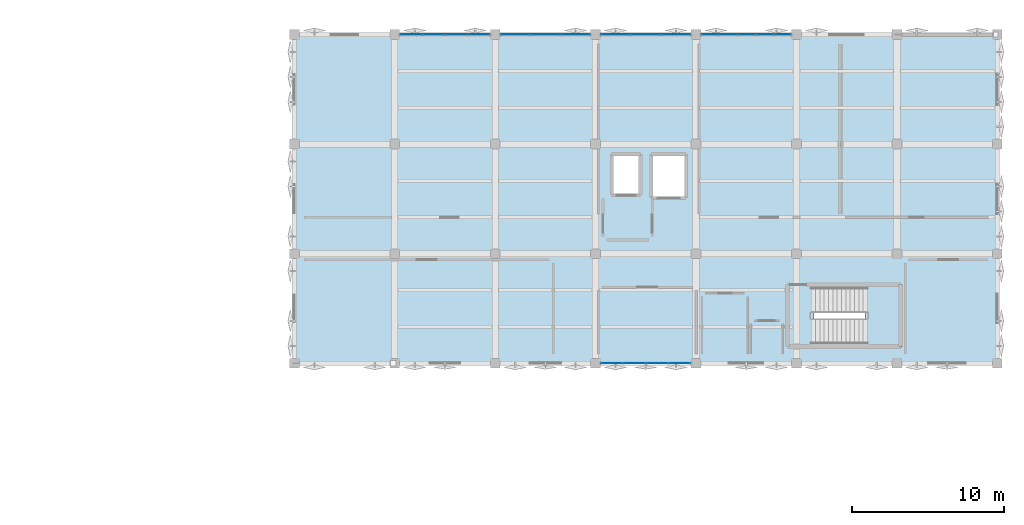
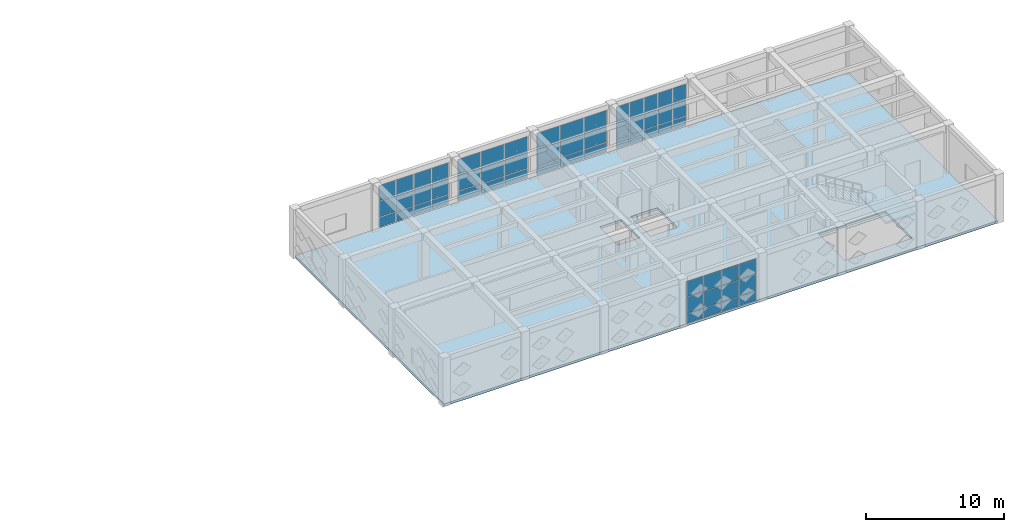
# One storey, part 22 of 39: 57 plates, 2 slabs, 6 elements without a shape of their own.
"""IFC4 building model written with IfcOpenShell, lengths in metres."""

import ifcopenshell
import ifcopenshell.guid

model = None  # the IFC model being written
_history = None  # IfcOwnerHistory: only IFC2X3 demands one
_inside = {}  # id of a spatial element -> (the spatial element, [elements in it])
_under = {}  # id of a project, library or spatial element -> (it, [spatial elements below it])
_declared = {}  # id of a project -> (the project, [libraries it declares])
_typed = {}  # id of a type object -> (the type object, [elements of that type])
_made_of = {}  # id of a material, layer set ... -> (it, [elements and type objects made of it])


def new_model(schema):
    """Start an empty IFC model of exactly this schema.

    Asked for "IFC4X3", IfcOpenShell would pick the latest addendum, in which some entities
    have other attributes; the version numbers below select the first issue.
    IFC2X3 requires an IfcOwnerHistory on every rooted entity: one is made here for all.
    """
    global model, _history
    if schema == "IFC4X3":
        model = ifcopenshell.file(schema_version=(4, 3, 0, 0))
    else:
        model = ifcopenshell.file(schema=schema)
    _inside.clear()
    _under.clear()
    _declared.clear()
    _typed.clear()
    _made_of.clear()
    _history = None
    if model.schema == "IFC2X3":
        org = make("IfcOrganization", Name="unknown")
        user = make(
            "IfcPersonAndOrganization",
            ThePerson=make("IfcPerson", FamilyName="unknown"),
            TheOrganization=org,
        )
        app = make(
            "IfcApplication",
            ApplicationDeveloper=org,
            Version="unknown",
            ApplicationFullName="unknown",
            ApplicationIdentifier="unknown",
        )
        _history = make(
            "IfcOwnerHistory",
            OwningUser=user,
            OwningApplication=app,
            ChangeAction="ADDED",
            CreationDate=0,
        )
    return model


def make(cls, **values):
    """One entity of the class cls with the attributes given. An attribute that is None is left unset."""
    return model.create_entity(
        cls, **{name: value for name, value in values.items() if value is not None}
    )


def rooted(cls, **values):
    """An entity with a GlobalId (a new one), such as an element, a storey or a relation."""
    return make(cls, GlobalId=ifcopenshell.guid.new(), OwnerHistory=_history, **values)


def si_unit(unit_type, name, prefix=None):
    """IfcSIUnit, for example si_unit("LENGTHUNIT", "METRE", prefix="MILLI")."""
    return make("IfcSIUnit", UnitType=unit_type, Prefix=prefix, Name=name)


def assignment(units):
    """IfcUnitAssignment: the units of a project."""
    return None if units is None else make("IfcUnitAssignment", Units=units)


def point(xyz):
    """IfcCartesianPoint."""
    return None if xyz is None else make("IfcCartesianPoint", Coordinates=xyz)


def direction(xyz):
    """IfcDirection."""
    return None if xyz is None else make("IfcDirection", DirectionRatios=xyz)


def frame(location, z_axis=None, x_axis=None):
    """IfcAxis2Placement3D, a coordinate frame: its origin and axes. An axis left out is left unset."""
    return make(
        "IfcAxis2Placement3D",
        Location=point(location),
        Axis=direction(z_axis),
        RefDirection=direction(x_axis),
    )


def frame_2d(location, x_axis=None):
    """IfcAxis2Placement2D, a coordinate frame in the plane: its origin and x axis."""
    return make(
        "IfcAxis2Placement2D", Location=point(location), RefDirection=direction(x_axis)
    )


def origin():
    """The frame at (0, 0, 0) with its axes left unset."""
    return frame((0.0, 0.0, 0.0))


def origin_2d():
    """The frame at (0, 0) in the plane with its x axis left unset."""
    return frame_2d((0.0, 0.0))


def place(relative_to, where):
    """IfcLocalPlacement: puts the frame where relative to a parent placement (None: the world)."""
    return make(
        "IfcLocalPlacement", PlacementRelTo=relative_to, RelativePlacement=where
    )


def context(
    kind, dimensions, precision=None, world=None, true_north=None, identifier=None
):
    """IfcGeometricRepresentationContext, for example the 3D "Model" context."""
    return make(
        "IfcGeometricRepresentationContext",
        ContextIdentifier=identifier,
        ContextType=kind,
        CoordinateSpaceDimension=dimensions,
        Precision=precision,
        WorldCoordinateSystem=world,
        TrueNorth=true_north,
    )


def subcontext(parent, identifier, kind, view, scale=None):
    """IfcGeometricRepresentationSubContext, for example "Body" below "Model"."""
    return make(
        "IfcGeometricRepresentationSubContext",
        ContextIdentifier=identifier,
        ContextType=kind,
        ParentContext=parent,
        TargetScale=scale,
        TargetView=view,
    )


def project(units=None, contexts=None):
    """IfcProject with its units and contexts."""
    return rooted(
        "IfcProject",
        Name="project",
        RepresentationContexts=contexts,
        UnitsInContext=assignment(units),
    )


def spatial(cls, under=None, at=None, **own):
    """A site, building, storey or space (cls), placed at a placement, below another one or the project."""
    s = rooted(cls, ObjectPlacement=at, **own)
    if under is not None:
        _under.setdefault(under.id(), (under, []))[1].append(s)
    return s


def polyline(points):
    """IfcPolyline through the points."""
    return make("IfcPolyline", Points=[point(p) for p in points])


def profile(cls, at=None, kind="AREA", **sizes):
    """A parametric profile (cls). Its sizes go by their IFC names, for example OverallWidth=200.0."""
    return make(cls, ProfileType=kind, Position=at, **sizes)


def rectangle(**sizes):
    """IfcRectangleProfileDef."""
    return profile("IfcRectangleProfileDef", **sizes)


def outline(outer, holes=None, kind="AREA"):
    """IfcArbitraryClosedProfileDef: a profile drawn as a closed curve; with holes, ...WithVoids."""
    if holes is None:
        return make("IfcArbitraryClosedProfileDef", ProfileType=kind, OuterCurve=outer)
    return make(
        "IfcArbitraryProfileDefWithVoids",
        ProfileType=kind,
        OuterCurve=outer,
        InnerCurves=holes,
    )


def extrude(swept, where, along, depth):
    """IfcExtrudedAreaSolid: the profile swept, set in the frame where, extruded along a direction by depth."""
    return make(
        "IfcExtrudedAreaSolid",
        SweptArea=swept,
        Position=where,
        ExtrudedDirection=direction(along),
        Depth=depth,
    )


def shape(context_of_items, identifier, shape_type, items):
    """IfcShapeRepresentation: the items that make up one representation, for example the "Body"."""
    return make(
        "IfcShapeRepresentation",
        ContextOfItems=context_of_items,
        RepresentationIdentifier=identifier,
        RepresentationType=shape_type,
        Items=items,
    )


def material(Name=None, Category=None):
    """IfcMaterial."""
    return make("IfcMaterial", Name=Name, Category=Category)


def layer(
    of_material, thickness, ventilated=None, Name=None, Category=None, Priority=None
):
    """IfcMaterialLayer: one layer of a wall or slab, of a material (None: an air gap)."""
    return make(
        "IfcMaterialLayer",
        Material=of_material,
        LayerThickness=thickness,
        IsVentilated=ventilated,
        Name=Name,
        Category=Category,
        Priority=Priority,
    )


def layer_set(layers, Name=None):
    """IfcMaterialLayerSet."""
    return make("IfcMaterialLayerSet", MaterialLayers=layers, LayerSetName=Name)


def made_of(thing, what):
    """Note that an element or type object is made of a material, layer set ...; save() writes the relation."""
    if what is not None:
        _made_of.setdefault(what.id(), (what, []))[1].append(thing)
    return thing


def type_object(cls, material=None, **own):
    """A type object (cls), such as IfcWallType, which elements share."""
    return made_of(rooted(cls, **own), material)


def element(
    cls,
    number,
    at=None,
    inside=None,
    cuts=None,
    type_object=None,
    material=None,
    context=None,
    identifier="Body",
    shape_type=None,
    held_by="IfcProductDefinitionShape",
    body=None,
    shapes=None,
    **own,
):
    """One element of the class cls, such as IfcWall. Its Tag is "e" and its number.

    at: its placement. inside: the storey or other place that contains it. cuts: it is an
    opening in that element (IfcRelVoidsElement). A single representation is given by context,
    identifier, shape_type and body (its items); several are given by shapes. held_by: the class
    of the entity that holds the representations. save() writes the other relations.
    """
    e = rooted(cls, Tag="e%d" % number, ObjectPlacement=at, **own)
    if body is not None:
        shapes = [shape(context, identifier, shape_type, body)]
    if shapes is not None:
        e.Representation = make(held_by, Representations=shapes)
    if inside is not None:
        _inside.setdefault(inside.id(), (inside, []))[1].append(e)
    if cuts is not None:
        rooted(
            "IfcRelVoidsElement", RelatingBuildingElement=cuts, RelatedOpeningElement=e
        )
    if type_object is not None:
        _typed.setdefault(type_object.id(), (type_object, []))[1].append(e)
    return made_of(e, material)


def aggregate(whole, parts):
    """IfcRelAggregates: a whole, such as a stair, and the parts it consists of."""
    return rooted("IfcRelAggregates", RelatingObject=whole, RelatedObjects=parts)


def save(model, path):
    """Write the relations noted so far, then the file.

    IfcRelAggregates (storeys below a building ...), IfcRelContainedInSpatialStructure (elements
    in a storey), IfcRelDefinesByType, IfcRelAssociatesMaterial and IfcRelDeclares: one each for
    every whole, place, type object, material and project.
    """
    for whole, parts in _under.values():
        aggregate(whole, parts)
    for where, things in _inside.values():
        rooted(
            "IfcRelContainedInSpatialStructure",
            RelatedElements=things,
            RelatingStructure=where,
        )
    for kind, things in _typed.values():
        rooted("IfcRelDefinesByType", RelatedObjects=things, RelatingType=kind)
    for what, things in _made_of.values():
        rooted("IfcRelAssociatesMaterial", RelatedObjects=things, RelatingMaterial=what)
    for by, libraries in _declared.values():
        rooted("IfcRelDeclares", RelatingContext=by, RelatedDefinitions=libraries)
    model.write(path)


model = new_model("IFC4")

# Units and contexts
model_context = context("Model", 3, precision=1e-05, world=origin(), true_north=direction((0.0, 1.0)))
body_context = subcontext(model_context, "Body", "Model", "MODEL_VIEW")
ifc_project = project(units=[si_unit("LENGTHUNIT", "METRE"), si_unit("AREAUNIT", "SQUARE_METRE"), si_unit("VOLUMEUNIT", "CUBIC_METRE"), si_unit("PLANEANGLEUNIT", "RADIAN"), si_unit("MASSUNIT", "GRAM", prefix="KILO")], contexts=[model_context])

# Site, building, storey
site_placement = place(None, origin())
site = spatial("IfcSite", under=ifc_project, at=site_placement, CompositionType="ELEMENT")
building_placement = place(site_placement, origin())
building = spatial("IfcBuilding", under=site, at=building_placement, Name="Kharisveld Research Institute", CompositionType="ELEMENT")
storey_placement = place(building_placement, frame((0.0, 0.0, 18.60009765625)))
storey = spatial("IfcBuildingStorey", under=building, at=storey_placement, Name="L04", CompositionType="ELEMENT", Elevation=18.60009765625)

# Curtain wall, plates
ifc_material_1 = material(Name="Thermally Broken Aluminium Curtain Wall", Category="aluminium")
ifc_layer_1 = layer(ifc_material_1, 0.159912109375)
ifc_layer_set_1 = layer_set([ifc_layer_1], Name="CW_SYS_04")
curtain_wall_type_1 = type_object("IfcCurtainWallType", Name="CW_SYS_04", PredefinedType="NOTDEFINED", material=ifc_layer_set_1)
curtain_wall_1_placement = place(storey_placement, origin())
curtain_wall_1 = element("IfcCurtainWall", 1, at=curtain_wall_1_placement, inside=storey, type_object=curtain_wall_type_1, Name="CW:V2:L04:N1", PredefinedType="NOTDEFINED")
ifc_material_2 = material(Name="Low-E Double Glazing", Category="glass")
ifc_layer_2 = layer(ifc_material_2, 0.028076171875)
ifc_layer_set_2 = layer_set([ifc_layer_2], Name="CW_PNL_GLZ")
plate_type = type_object("IfcPlateType", Name="CW_PNL_GLZ", PredefinedType="CURTAIN_PANEL", material=ifc_layer_set_2)
plate_1_placement = place(storey_placement, frame((122.28125, 60.800048828125, 0.059814453125), z_axis=(0.0, 0.0, 1.0), x_axis=(1.0, 0.0, 0.0)))
plate_1 = element("IfcPlate", 2, at=plate_1_placement, type_object=plate_type, Name="CW-04 panel 1.1", PredefinedType="CURTAIN_PANEL", context=body_context, shape_type="SweptSolid", body=[
    extrude(rectangle(XDim=1.392578125, YDim=0.028076171875, at=origin_2d()), origin(), (0.0, 0.0, 1.0), 0.81005859375),
])
plate_2_placement = place(storey_placement, frame((122.28125, 60.800048828125, 0.93017578125), z_axis=(0.0, 0.0, 1.0), x_axis=(1.0, 0.0, 0.0)))
plate_2 = element("IfcPlate", 3, at=plate_2_placement, type_object=plate_type, Name="CW-04 panel 1.2", PredefinedType="CURTAIN_PANEL", context=body_context, shape_type="SweptSolid", body=[
    extrude(rectangle(XDim=1.392578125, YDim=0.028076171875, at=origin_2d()), origin(), (0.0, 0.0, 1.0), 1.389892578125),
])
plate_3_placement = place(storey_placement, frame((122.28125, 60.800048828125, 2.3798828125), z_axis=(0.0, 0.0, 1.0), x_axis=(1.0, 0.0, 0.0)))
plate_3 = element("IfcPlate", 4, at=plate_3_placement, type_object=plate_type, Name="CW-04 panel 1.3", PredefinedType="CURTAIN_PANEL", context=body_context, shape_type="SweptSolid", body=[
    extrude(rectangle(XDim=1.392578125, YDim=0.028076171875, at=origin_2d()), origin(), (0.0, 0.0, 1.0), 1.340087890625),
])
plate_4_placement = place(storey_placement, frame((123.7548828125, 60.800048828125, 0.059814453125), z_axis=(0.0, 0.0, 1.0), x_axis=(1.0, 0.0, 0.0)))
plate_4 = element("IfcPlate", 5, at=plate_4_placement, type_object=plate_type, Name="CW-04 panel 2.1", PredefinedType="CURTAIN_PANEL", context=body_context, shape_type="SweptSolid", body=[
    extrude(rectangle(XDim=1.425048828125, YDim=0.028076171875, at=origin_2d()), origin(), (0.0, 0.0, 1.0), 0.81005859375),
])
plate_5_placement = place(storey_placement, frame((123.7548828125, 60.800048828125, 0.93017578125), z_axis=(0.0, 0.0, 1.0), x_axis=(1.0, 0.0, 0.0)))
plate_5 = element("IfcPlate", 6, at=plate_5_placement, type_object=plate_type, Name="CW-04 panel 2.2", PredefinedType="CURTAIN_PANEL", context=body_context, shape_type="SweptSolid", body=[
    extrude(rectangle(XDim=1.425048828125, YDim=0.028076171875, at=origin_2d()), origin(), (0.0, 0.0, 1.0), 1.389892578125),
])
plate_6_placement = place(storey_placement, frame((123.7548828125, 60.800048828125, 2.3798828125), z_axis=(0.0, 0.0, 1.0), x_axis=(1.0, 0.0, 0.0)))
plate_6 = element("IfcPlate", 7, at=plate_6_placement, type_object=plate_type, Name="CW-04 panel 2.3", PredefinedType="CURTAIN_PANEL", context=body_context, shape_type="SweptSolid", body=[
    extrude(rectangle(XDim=1.425048828125, YDim=0.028076171875, at=origin_2d()), origin(), (0.0, 0.0, 1.0), 1.340087890625),
])
plate_7_placement = place(storey_placement, frame((125.2451171875, 60.800048828125, 0.059814453125), z_axis=(0.0, 0.0, 1.0), x_axis=(1.0, 0.0, 0.0)))
plate_7 = element("IfcPlate", 8, at=plate_7_placement, type_object=plate_type, Name="CW-04 panel 3.1", PredefinedType="CURTAIN_PANEL", context=body_context, shape_type="SweptSolid", body=[
    extrude(rectangle(XDim=1.425048828125, YDim=0.028076171875, at=origin_2d()), origin(), (0.0, 0.0, 1.0), 0.81005859375),
])
plate_8_placement = place(storey_placement, frame((125.2451171875, 60.800048828125, 0.93017578125), z_axis=(0.0, 0.0, 1.0), x_axis=(1.0, 0.0, 0.0)))
plate_8 = element("IfcPlate", 9, at=plate_8_placement, type_object=plate_type, Name="CW-04 panel 3.2", PredefinedType="CURTAIN_PANEL", context=body_context, shape_type="SweptSolid", body=[
    extrude(rectangle(XDim=1.425048828125, YDim=0.028076171875, at=origin_2d()), origin(), (0.0, 0.0, 1.0), 1.389892578125),
])
plate_9_placement = place(storey_placement, frame((125.2451171875, 60.800048828125, 2.3798828125), z_axis=(0.0, 0.0, 1.0), x_axis=(1.0, 0.0, 0.0)))
plate_9 = element("IfcPlate", 10, at=plate_9_placement, type_object=plate_type, Name="CW-04 panel 3.3", PredefinedType="CURTAIN_PANEL", context=body_context, shape_type="SweptSolid", body=[
    extrude(rectangle(XDim=1.425048828125, YDim=0.028076171875, at=origin_2d()), origin(), (0.0, 0.0, 1.0), 1.340087890625),
])
plate_10_placement = place(storey_placement, frame((126.71875, 60.800048828125, 0.059814453125), z_axis=(0.0, 0.0, 1.0), x_axis=(1.0, 0.0, 0.0)))
plate_10 = element("IfcPlate", 11, at=plate_10_placement, type_object=plate_type, Name="CW-04 panel 4.1", PredefinedType="CURTAIN_PANEL", context=body_context, shape_type="SweptSolid", body=[
    extrude(rectangle(XDim=1.392578125, YDim=0.028076171875, at=origin_2d()), origin(), (0.0, 0.0, 1.0), 0.81005859375),
])
plate_11_placement = place(storey_placement, frame((126.71875, 60.800048828125, 0.93017578125), z_axis=(0.0, 0.0, 1.0), x_axis=(1.0, 0.0, 0.0)))
plate_11 = element("IfcPlate", 12, at=plate_11_placement, type_object=plate_type, Name="CW-04 panel 4.2", PredefinedType="CURTAIN_PANEL", context=body_context, shape_type="SweptSolid", body=[
    extrude(rectangle(XDim=1.392578125, YDim=0.028076171875, at=origin_2d()), origin(), (0.0, 0.0, 1.0), 1.389892578125),
])
plate_12_placement = place(storey_placement, frame((126.71875, 60.800048828125, 2.3798828125), z_axis=(0.0, 0.0, 1.0), x_axis=(1.0, 0.0, 0.0)))
plate_12 = element("IfcPlate", 13, at=plate_12_placement, type_object=plate_type, Name="CW-04 panel 4.3", PredefinedType="CURTAIN_PANEL", context=body_context, shape_type="SweptSolid", body=[
    extrude(rectangle(XDim=1.392578125, YDim=0.028076171875, at=origin_2d()), origin(), (0.0, 0.0, 1.0), 1.340087890625),
])
aggregate(curtain_wall_1, [plate_1, plate_2, plate_3, plate_4, plate_5, plate_6, plate_7, plate_8, plate_9, plate_10, plate_11, plate_12])

ifc_material_3 = material(Name="Thermally Broken Aluminium Curtain Wall", Category="aluminium")
ifc_layer_3 = layer(ifc_material_3, 0.159912109375)
ifc_layer_set_3 = layer_set([ifc_layer_3], Name="CW_SYS_05")
curtain_wall_type_2 = type_object("IfcCurtainWallType", Name="CW_SYS_05", PredefinedType="NOTDEFINED", material=ifc_layer_set_3)
curtain_wall_2_placement = place(storey_placement, origin())
curtain_wall_2 = element("IfcCurtainWall", 14, at=curtain_wall_2_placement, inside=storey, type_object=curtain_wall_type_2, Name="CW:V2:L04:N2", PredefinedType="NOTDEFINED")
plate_13_placement = place(storey_placement, frame((129.129638671875, 60.800048828125, 0.059814453125), z_axis=(0.0, 0.0, 1.0), x_axis=(1.0, 0.0, 0.0)))
plate_13 = element("IfcPlate", 15, at=plate_13_placement, type_object=plate_type, Name="CW-05 panel 1.1", PredefinedType="CURTAIN_PANEL", context=body_context, shape_type="SweptSolid", body=[
    extrude(rectangle(XDim=1.88916015625, YDim=0.028076171875, at=origin_2d()), origin(), (0.0, 0.0, 1.0), 0.81005859375),
])
plate_14_placement = place(storey_placement, frame((129.129638671875, 60.800048828125, 0.93017578125), z_axis=(0.0, 0.0, 1.0), x_axis=(1.0, 0.0, 0.0)))
plate_14 = element("IfcPlate", 16, at=plate_14_placement, type_object=plate_type, Name="CW-05 panel 1.2", PredefinedType="CURTAIN_PANEL", context=body_context, shape_type="SweptSolid", body=[
    extrude(rectangle(XDim=1.88916015625, YDim=0.028076171875, at=origin_2d()), origin(), (0.0, 0.0, 1.0), 1.389892578125),
])
plate_15_placement = place(storey_placement, frame((129.129638671875, 60.800048828125, 2.3798828125), z_axis=(0.0, 0.0, 1.0), x_axis=(1.0, 0.0, 0.0)))
plate_15 = element("IfcPlate", 17, at=plate_15_placement, type_object=plate_type, Name="CW-05 panel 1.3", PredefinedType="CURTAIN_PANEL", context=body_context, shape_type="SweptSolid", body=[
    extrude(rectangle(XDim=1.88916015625, YDim=0.028076171875, at=origin_2d()), origin(), (0.0, 0.0, 1.0), 1.340087890625),
])
plate_16_placement = place(storey_placement, frame((131.10009765625, 60.800048828125, 0.059814453125), z_axis=(0.0, 0.0, 1.0), x_axis=(1.0, 0.0, 0.0)))
plate_16 = element("IfcPlate", 18, at=plate_16_placement, type_object=plate_type, Name="CW-05 panel 2.1", PredefinedType="CURTAIN_PANEL", context=body_context, shape_type="SweptSolid", body=[
    extrude(rectangle(XDim=1.921630859375, YDim=0.028076171875, at=origin_2d()), origin(), (0.0, 0.0, 1.0), 0.81005859375),
])
plate_17_placement = place(storey_placement, frame((131.10009765625, 60.800048828125, 0.93017578125), z_axis=(0.0, 0.0, 1.0), x_axis=(1.0, 0.0, 0.0)))
plate_17 = element("IfcPlate", 19, at=plate_17_placement, type_object=plate_type, Name="CW-05 panel 2.2", PredefinedType="CURTAIN_PANEL", context=body_context, shape_type="SweptSolid", body=[
    extrude(rectangle(XDim=1.921630859375, YDim=0.028076171875, at=origin_2d()), origin(), (0.0, 0.0, 1.0), 1.389892578125),
])
plate_18_placement = place(storey_placement, frame((131.10009765625, 60.800048828125, 2.3798828125), z_axis=(0.0, 0.0, 1.0), x_axis=(1.0, 0.0, 0.0)))
plate_18 = element("IfcPlate", 20, at=plate_18_placement, type_object=plate_type, Name="CW-05 panel 2.3", PredefinedType="CURTAIN_PANEL", context=body_context, shape_type="SweptSolid", body=[
    extrude(rectangle(XDim=1.921630859375, YDim=0.028076171875, at=origin_2d()), origin(), (0.0, 0.0, 1.0), 1.340087890625),
])
plate_19_placement = place(storey_placement, frame((133.0703125, 60.800048828125, 0.059814453125), z_axis=(0.0, 0.0, 1.0), x_axis=(1.0, 0.0, 0.0)))
plate_19 = element("IfcPlate", 21, at=plate_19_placement, type_object=plate_type, Name="CW-05 panel 3.1", PredefinedType="CURTAIN_PANEL", context=body_context, shape_type="SweptSolid", body=[
    extrude(rectangle(XDim=1.88916015625, YDim=0.028076171875, at=origin_2d()), origin(), (0.0, 0.0, 1.0), 0.81005859375),
])
plate_20_placement = place(storey_placement, frame((133.0703125, 60.800048828125, 0.93017578125), z_axis=(0.0, 0.0, 1.0), x_axis=(1.0, 0.0, 0.0)))
plate_20 = element("IfcPlate", 22, at=plate_20_placement, type_object=plate_type, Name="CW-05 panel 3.2", PredefinedType="CURTAIN_PANEL", context=body_context, shape_type="SweptSolid", body=[
    extrude(rectangle(XDim=1.88916015625, YDim=0.028076171875, at=origin_2d()), origin(), (0.0, 0.0, 1.0), 1.389892578125),
])
plate_21_placement = place(storey_placement, frame((133.0703125, 60.800048828125, 2.3798828125), z_axis=(0.0, 0.0, 1.0), x_axis=(1.0, 0.0, 0.0)))
plate_21 = element("IfcPlate", 23, at=plate_21_placement, type_object=plate_type, Name="CW-05 panel 3.3", PredefinedType="CURTAIN_PANEL", context=body_context, shape_type="SweptSolid", body=[
    extrude(rectangle(XDim=1.88916015625, YDim=0.028076171875, at=origin_2d()), origin(), (0.0, 0.0, 1.0), 1.340087890625),
])
aggregate(curtain_wall_2, [plate_13, plate_14, plate_15, plate_16, plate_17, plate_18, plate_19, plate_20, plate_21])

ifc_material_4 = material(Name="Thermally Broken Aluminium Curtain Wall", Category="aluminium")
ifc_layer_4 = layer(ifc_material_4, 0.159912109375)
ifc_layer_set_4 = layer_set([ifc_layer_4], Name="CW_SYS_06")
curtain_wall_type_3 = type_object("IfcCurtainWallType", Name="CW_SYS_06", PredefinedType="NOTDEFINED", material=ifc_layer_set_4)
curtain_wall_3_placement = place(storey_placement, origin())
curtain_wall_3 = element("IfcCurtainWall", 24, at=curtain_wall_3_placement, inside=storey, type_object=curtain_wall_type_3, Name="CW:V2:L04:N3", PredefinedType="NOTDEFINED")
plate_22_placement = place(storey_placement, frame((135.7294921875, 60.800048828125, 0.059814453125), z_axis=(0.0, 0.0, 1.0), x_axis=(1.0, 0.0, 0.0)))
plate_22 = element("IfcPlate", 25, at=plate_22_placement, type_object=plate_type, Name="CW-06 panel 1.1", PredefinedType="CURTAIN_PANEL", context=body_context, shape_type="SweptSolid", body=[
    extrude(rectangle(XDim=1.88916015625, YDim=0.028076171875, at=origin_2d()), origin(), (0.0, 0.0, 1.0), 0.81005859375),
])
plate_23_placement = place(storey_placement, frame((135.7294921875, 60.800048828125, 0.93017578125), z_axis=(0.0, 0.0, 1.0), x_axis=(1.0, 0.0, 0.0)))
plate_23 = element("IfcPlate", 26, at=plate_23_placement, type_object=plate_type, Name="CW-06 panel 1.2", PredefinedType="CURTAIN_PANEL", context=body_context, shape_type="SweptSolid", body=[
    extrude(rectangle(XDim=1.88916015625, YDim=0.028076171875, at=origin_2d()), origin(), (0.0, 0.0, 1.0), 1.389892578125),
])
plate_24_placement = place(storey_placement, frame((135.7294921875, 60.800048828125, 2.3798828125), z_axis=(0.0, 0.0, 1.0), x_axis=(1.0, 0.0, 0.0)))
plate_24 = element("IfcPlate", 27, at=plate_24_placement, type_object=plate_type, Name="CW-06 panel 1.3", PredefinedType="CURTAIN_PANEL", context=body_context, shape_type="SweptSolid", body=[
    extrude(rectangle(XDim=1.88916015625, YDim=0.028076171875, at=origin_2d()), origin(), (0.0, 0.0, 1.0), 1.340087890625),
])
plate_25_placement = place(storey_placement, frame((137.699951171875, 60.800048828125, 0.059814453125), z_axis=(0.0, 0.0, 1.0), x_axis=(1.0, 0.0, 0.0)))
plate_25 = element("IfcPlate", 28, at=plate_25_placement, type_object=plate_type, Name="CW-06 panel 2.1", PredefinedType="CURTAIN_PANEL", context=body_context, shape_type="SweptSolid", body=[
    extrude(rectangle(XDim=1.921630859375, YDim=0.028076171875, at=origin_2d()), origin(), (0.0, 0.0, 1.0), 0.81005859375),
])
plate_26_placement = place(storey_placement, frame((137.699951171875, 60.800048828125, 0.93017578125), z_axis=(0.0, 0.0, 1.0), x_axis=(1.0, 0.0, 0.0)))
plate_26 = element("IfcPlate", 29, at=plate_26_placement, type_object=plate_type, Name="CW-06 panel 2.2", PredefinedType="CURTAIN_PANEL", context=body_context, shape_type="SweptSolid", body=[
    extrude(rectangle(XDim=1.921630859375, YDim=0.028076171875, at=origin_2d()), origin(), (0.0, 0.0, 1.0), 1.389892578125),
])
plate_27_placement = place(storey_placement, frame((137.699951171875, 60.800048828125, 2.3798828125), z_axis=(0.0, 0.0, 1.0), x_axis=(1.0, 0.0, 0.0)))
plate_27 = element("IfcPlate", 30, at=plate_27_placement, type_object=plate_type, Name="CW-06 panel 2.3", PredefinedType="CURTAIN_PANEL", context=body_context, shape_type="SweptSolid", body=[
    extrude(rectangle(XDim=1.921630859375, YDim=0.028076171875, at=origin_2d()), origin(), (0.0, 0.0, 1.0), 1.340087890625),
])
plate_28_placement = place(storey_placement, frame((139.67041015625, 60.800048828125, 0.059814453125), z_axis=(0.0, 0.0, 1.0), x_axis=(1.0, 0.0, 0.0)))
plate_28 = element("IfcPlate", 31, at=plate_28_placement, type_object=plate_type, Name="CW-06 panel 3.1", PredefinedType="CURTAIN_PANEL", context=body_context, shape_type="SweptSolid", body=[
    extrude(rectangle(XDim=1.88916015625, YDim=0.028076171875, at=origin_2d()), origin(), (0.0, 0.0, 1.0), 0.81005859375),
])
plate_29_placement = place(storey_placement, frame((139.67041015625, 60.800048828125, 0.93017578125), z_axis=(0.0, 0.0, 1.0), x_axis=(1.0, 0.0, 0.0)))
plate_29 = element("IfcPlate", 32, at=plate_29_placement, type_object=plate_type, Name="CW-06 panel 3.2", PredefinedType="CURTAIN_PANEL", context=body_context, shape_type="SweptSolid", body=[
    extrude(rectangle(XDim=1.88916015625, YDim=0.028076171875, at=origin_2d()), origin(), (0.0, 0.0, 1.0), 1.389892578125),
])
plate_30_placement = place(storey_placement, frame((139.67041015625, 60.800048828125, 2.3798828125), z_axis=(0.0, 0.0, 1.0), x_axis=(1.0, 0.0, 0.0)))
plate_30 = element("IfcPlate", 33, at=plate_30_placement, type_object=plate_type, Name="CW-06 panel 3.3", PredefinedType="CURTAIN_PANEL", context=body_context, shape_type="SweptSolid", body=[
    extrude(rectangle(XDim=1.88916015625, YDim=0.028076171875, at=origin_2d()), origin(), (0.0, 0.0, 1.0), 1.340087890625),
])
aggregate(curtain_wall_3, [plate_22, plate_23, plate_24, plate_25, plate_26, plate_27, plate_28, plate_29, plate_30])

ifc_material_5 = material(Name="Thermally Broken Aluminium Curtain Wall", Category="aluminium")
ifc_layer_5 = layer(ifc_material_5, 0.159912109375)
ifc_layer_set_5 = layer_set([ifc_layer_5], Name="CW_SYS_01")
curtain_wall_type_4 = type_object("IfcCurtainWallType", Name="CW_SYS_01", PredefinedType="NOTDEFINED", material=ifc_layer_set_5)
curtain_wall_4_placement = place(storey_placement, origin())
curtain_wall_4 = element("IfcCurtainWall", 34, at=curtain_wall_4_placement, inside=storey, type_object=curtain_wall_type_4, Name="CW:V2:L04:N4", PredefinedType="NOTDEFINED")
plate_31_placement = place(storey_placement, frame((141.93212890625, 60.800048828125, 0.059814453125), z_axis=(0.0, 0.0, 1.0), x_axis=(1.0, 0.0, 0.0)))
plate_31 = element("IfcPlate", 35, at=plate_31_placement, type_object=plate_type, Name="CW-01 panel 1.1", PredefinedType="CURTAIN_PANEL", context=body_context, shape_type="SweptSolid", body=[
    extrude(rectangle(XDim=1.094482421875, YDim=0.028076171875, at=origin_2d()), origin(), (0.0, 0.0, 1.0), 0.81005859375),
])
plate_32_placement = place(storey_placement, frame((141.93212890625, 60.800048828125, 0.93017578125), z_axis=(0.0, 0.0, 1.0), x_axis=(1.0, 0.0, 0.0)))
plate_32 = element("IfcPlate", 36, at=plate_32_placement, type_object=plate_type, Name="CW-01 panel 1.2", PredefinedType="CURTAIN_PANEL", context=body_context, shape_type="SweptSolid", body=[
    extrude(rectangle(XDim=1.094482421875, YDim=0.028076171875, at=origin_2d()), origin(), (0.0, 0.0, 1.0), 1.389892578125),
])
plate_33_placement = place(storey_placement, frame((141.93212890625, 60.800048828125, 2.3798828125), z_axis=(0.0, 0.0, 1.0), x_axis=(1.0, 0.0, 0.0)))
plate_33 = element("IfcPlate", 37, at=plate_33_placement, type_object=plate_type, Name="CW-01 panel 1.3", PredefinedType="CURTAIN_PANEL", context=body_context, shape_type="SweptSolid", body=[
    extrude(rectangle(XDim=1.094482421875, YDim=0.028076171875, at=origin_2d()), origin(), (0.0, 0.0, 1.0), 1.340087890625),
])
plate_34_placement = place(storey_placement, frame((143.10791015625, 60.800048828125, 0.059814453125), z_axis=(0.0, 0.0, 1.0), x_axis=(1.0, 0.0, 0.0)))
plate_34 = element("IfcPlate", 38, at=plate_34_placement, type_object=plate_type, Name="CW-01 panel 2.1", PredefinedType="CURTAIN_PANEL", context=body_context, shape_type="SweptSolid", body=[
    extrude(rectangle(XDim=1.126953125, YDim=0.028076171875, at=origin_2d()), origin(), (0.0, 0.0, 1.0), 0.81005859375),
])
plate_35_placement = place(storey_placement, frame((143.10791015625, 60.800048828125, 0.93017578125), z_axis=(0.0, 0.0, 1.0), x_axis=(1.0, 0.0, 0.0)))
plate_35 = element("IfcPlate", 39, at=plate_35_placement, type_object=plate_type, Name="CW-01 panel 2.2", PredefinedType="CURTAIN_PANEL", context=body_context, shape_type="SweptSolid", body=[
    extrude(rectangle(XDim=1.126953125, YDim=0.028076171875, at=origin_2d()), origin(), (0.0, 0.0, 1.0), 1.389892578125),
])
plate_36_placement = place(storey_placement, frame((143.10791015625, 60.800048828125, 2.3798828125), z_axis=(0.0, 0.0, 1.0), x_axis=(1.0, 0.0, 0.0)))
plate_36 = element("IfcPlate", 40, at=plate_36_placement, type_object=plate_type, Name="CW-01 panel 2.3", PredefinedType="CURTAIN_PANEL", context=body_context, shape_type="SweptSolid", body=[
    extrude(rectangle(XDim=1.126953125, YDim=0.028076171875, at=origin_2d()), origin(), (0.0, 0.0, 1.0), 1.340087890625),
])
plate_37_placement = place(storey_placement, frame((144.300048828125, 60.800048828125, 0.059814453125), z_axis=(0.0, 0.0, 1.0), x_axis=(1.0, 0.0, 0.0)))
plate_37 = element("IfcPlate", 41, at=plate_37_placement, type_object=plate_type, Name="CW-01 panel 3.1", PredefinedType="CURTAIN_PANEL", context=body_context, shape_type="SweptSolid", body=[
    extrude(rectangle(XDim=1.126953125, YDim=0.028076171875, at=origin_2d()), origin(), (0.0, 0.0, 1.0), 0.81005859375),
])
plate_38_placement = place(storey_placement, frame((144.300048828125, 60.800048828125, 0.93017578125), z_axis=(0.0, 0.0, 1.0), x_axis=(1.0, 0.0, 0.0)))
plate_38 = element("IfcPlate", 42, at=plate_38_placement, type_object=plate_type, Name="CW-01 panel 3.2", PredefinedType="CURTAIN_PANEL", context=body_context, shape_type="SweptSolid", body=[
    extrude(rectangle(XDim=1.126953125, YDim=0.028076171875, at=origin_2d()), origin(), (0.0, 0.0, 1.0), 1.389892578125),
])
plate_39_placement = place(storey_placement, frame((144.300048828125, 60.800048828125, 2.3798828125), z_axis=(0.0, 0.0, 1.0), x_axis=(1.0, 0.0, 0.0)))
plate_39 = element("IfcPlate", 43, at=plate_39_placement, type_object=plate_type, Name="CW-01 panel 3.3", PredefinedType="CURTAIN_PANEL", context=body_context, shape_type="SweptSolid", body=[
    extrude(rectangle(XDim=1.126953125, YDim=0.028076171875, at=origin_2d()), origin(), (0.0, 0.0, 1.0), 1.340087890625),
])
plate_40_placement = place(storey_placement, frame((145.491943359375, 60.800048828125, 0.059814453125), z_axis=(0.0, 0.0, 1.0), x_axis=(1.0, 0.0, 0.0)))
plate_40 = element("IfcPlate", 44, at=plate_40_placement, type_object=plate_type, Name="CW-01 panel 4.1", PredefinedType="CURTAIN_PANEL", context=body_context, shape_type="SweptSolid", body=[
    extrude(rectangle(XDim=1.126953125, YDim=0.028076171875, at=origin_2d()), origin(), (0.0, 0.0, 1.0), 0.81005859375),
])
plate_41_placement = place(storey_placement, frame((145.491943359375, 60.800048828125, 0.93017578125), z_axis=(0.0, 0.0, 1.0), x_axis=(1.0, 0.0, 0.0)))
plate_41 = element("IfcPlate", 45, at=plate_41_placement, type_object=plate_type, Name="CW-01 panel 4.2", PredefinedType="CURTAIN_PANEL", context=body_context, shape_type="SweptSolid", body=[
    extrude(rectangle(XDim=1.126953125, YDim=0.028076171875, at=origin_2d()), origin(), (0.0, 0.0, 1.0), 1.389892578125),
])
plate_42_placement = place(storey_placement, frame((145.491943359375, 60.800048828125, 2.3798828125), z_axis=(0.0, 0.0, 1.0), x_axis=(1.0, 0.0, 0.0)))
plate_42 = element("IfcPlate", 46, at=plate_42_placement, type_object=plate_type, Name="CW-01 panel 4.3", PredefinedType="CURTAIN_PANEL", context=body_context, shape_type="SweptSolid", body=[
    extrude(rectangle(XDim=1.126953125, YDim=0.028076171875, at=origin_2d()), origin(), (0.0, 0.0, 1.0), 1.340087890625),
])
plate_43_placement = place(storey_placement, frame((146.667724609375, 60.800048828125, 0.059814453125), z_axis=(0.0, 0.0, 1.0), x_axis=(1.0, 0.0, 0.0)))
plate_43 = element("IfcPlate", 47, at=plate_43_placement, type_object=plate_type, Name="CW-01 panel 5.1", PredefinedType="CURTAIN_PANEL", context=body_context, shape_type="SweptSolid", body=[
    extrude(rectangle(XDim=1.094482421875, YDim=0.028076171875, at=origin_2d()), origin(), (0.0, 0.0, 1.0), 0.81005859375),
])
plate_44_placement = place(storey_placement, frame((146.667724609375, 60.800048828125, 0.93017578125), z_axis=(0.0, 0.0, 1.0), x_axis=(1.0, 0.0, 0.0)))
plate_44 = element("IfcPlate", 48, at=plate_44_placement, type_object=plate_type, Name="CW-01 panel 5.2", PredefinedType="CURTAIN_PANEL", context=body_context, shape_type="SweptSolid", body=[
    extrude(rectangle(XDim=1.094482421875, YDim=0.028076171875, at=origin_2d()), origin(), (0.0, 0.0, 1.0), 1.389892578125),
])
plate_45_placement = place(storey_placement, frame((146.667724609375, 60.800048828125, 2.3798828125), z_axis=(0.0, 0.0, 1.0), x_axis=(1.0, 0.0, 0.0)))
plate_45 = element("IfcPlate", 49, at=plate_45_placement, type_object=plate_type, Name="CW-01 panel 5.3", PredefinedType="CURTAIN_PANEL", context=body_context, shape_type="SweptSolid", body=[
    extrude(rectangle(XDim=1.094482421875, YDim=0.028076171875, at=origin_2d()), origin(), (0.0, 0.0, 1.0), 1.340087890625),
])
aggregate(curtain_wall_4, [plate_31, plate_32, plate_33, plate_34, plate_35, plate_36, plate_37, plate_38, plate_39, plate_40, plate_41, plate_42, plate_43, plate_44, plate_45])

ifc_material_6 = material(Name="Thermally Broken Aluminium Curtain Wall", Category="aluminium")
ifc_layer_6 = layer(ifc_material_6, 0.159912109375)
ifc_layer_set_6 = layer_set([ifc_layer_6], Name="CW_SYS_02")
curtain_wall_type_5 = type_object("IfcCurtainWallType", Name="CW_SYS_02", PredefinedType="NOTDEFINED", material=ifc_layer_set_6)
curtain_wall_5_placement = place(storey_placement, origin())
curtain_wall_5 = element("IfcCurtainWall", 50, at=curtain_wall_5_placement, inside=storey, type_object=curtain_wall_type_5, Name="CW:V2:L04:S4", PredefinedType="NOTDEFINED")
plate_46_placement = place(storey_placement, frame((139.918701171875, 39.199951171875, 0.059814453125), z_axis=(0.0, 0.0, 1.0), x_axis=(-1.0, 0.0, 0.0)))
plate_46 = element("IfcPlate", 51, at=plate_46_placement, type_object=plate_type, Name="CW-02 panel 1.1", PredefinedType="CURTAIN_PANEL", context=body_context, shape_type="SweptSolid", body=[
    extrude(rectangle(XDim=1.392578125, YDim=0.028076171875, at=origin_2d()), origin(), (0.0, 0.0, 1.0), 0.81005859375),
])
plate_47_placement = place(storey_placement, frame((139.918701171875, 39.199951171875, 0.93017578125), z_axis=(0.0, 0.0, 1.0), x_axis=(-1.0, 0.0, 0.0)))
plate_47 = element("IfcPlate", 52, at=plate_47_placement, type_object=plate_type, Name="CW-02 panel 1.2", PredefinedType="CURTAIN_PANEL", context=body_context, shape_type="SweptSolid", body=[
    extrude(rectangle(XDim=1.392578125, YDim=0.028076171875, at=origin_2d()), origin(), (0.0, 0.0, 1.0), 1.389892578125),
])
plate_48_placement = place(storey_placement, frame((139.918701171875, 39.199951171875, 2.3798828125), z_axis=(0.0, 0.0, 1.0), x_axis=(-1.0, 0.0, 0.0)))
plate_48 = element("IfcPlate", 53, at=plate_48_placement, type_object=plate_type, Name="CW-02 panel 1.3", PredefinedType="CURTAIN_PANEL", context=body_context, shape_type="SweptSolid", body=[
    extrude(rectangle(XDim=1.392578125, YDim=0.028076171875, at=origin_2d()), origin(), (0.0, 0.0, 1.0), 1.340087890625),
])
plate_49_placement = place(storey_placement, frame((138.445068359375, 39.199951171875, 0.059814453125), z_axis=(0.0, 0.0, 1.0), x_axis=(-1.0, 0.0, 0.0)))
plate_49 = element("IfcPlate", 54, at=plate_49_placement, type_object=plate_type, Name="CW-02 panel 2.1", PredefinedType="CURTAIN_PANEL", context=body_context, shape_type="SweptSolid", body=[
    extrude(rectangle(XDim=1.425048828125, YDim=0.028076171875, at=origin_2d()), origin(), (0.0, 0.0, 1.0), 0.81005859375),
])
plate_50_placement = place(storey_placement, frame((138.445068359375, 39.199951171875, 0.93017578125), z_axis=(0.0, 0.0, 1.0), x_axis=(-1.0, 0.0, 0.0)))
plate_50 = element("IfcPlate", 55, at=plate_50_placement, type_object=plate_type, Name="CW-02 panel 2.2", PredefinedType="CURTAIN_PANEL", context=body_context, shape_type="SweptSolid", body=[
    extrude(rectangle(XDim=1.425048828125, YDim=0.028076171875, at=origin_2d()), origin(), (0.0, 0.0, 1.0), 1.389892578125),
])
plate_51_placement = place(storey_placement, frame((138.445068359375, 39.199951171875, 2.3798828125), z_axis=(0.0, 0.0, 1.0), x_axis=(-1.0, 0.0, 0.0)))
plate_51 = element("IfcPlate", 56, at=plate_51_placement, type_object=plate_type, Name="CW-02 panel 2.3", PredefinedType="CURTAIN_PANEL", context=body_context, shape_type="SweptSolid", body=[
    extrude(rectangle(XDim=1.425048828125, YDim=0.028076171875, at=origin_2d()), origin(), (0.0, 0.0, 1.0), 1.340087890625),
])
plate_52_placement = place(storey_placement, frame((136.955078125, 39.199951171875, 0.059814453125), z_axis=(0.0, 0.0, 1.0), x_axis=(-1.0, 0.0, 0.0)))
plate_52 = element("IfcPlate", 57, at=plate_52_placement, type_object=plate_type, Name="CW-02 panel 3.1", PredefinedType="CURTAIN_PANEL", context=body_context, shape_type="SweptSolid", body=[
    extrude(rectangle(XDim=1.425048828125, YDim=0.028076171875, at=origin_2d()), origin(), (0.0, 0.0, 1.0), 0.81005859375),
])
plate_53_placement = place(storey_placement, frame((136.955078125, 39.199951171875, 0.93017578125), z_axis=(0.0, 0.0, 1.0), x_axis=(-1.0, 0.0, 0.0)))
plate_53 = element("IfcPlate", 58, at=plate_53_placement, type_object=plate_type, Name="CW-02 panel 3.2", PredefinedType="CURTAIN_PANEL", context=body_context, shape_type="SweptSolid", body=[
    extrude(rectangle(XDim=1.425048828125, YDim=0.028076171875, at=origin_2d()), origin(), (0.0, 0.0, 1.0), 1.389892578125),
])
plate_54_placement = place(storey_placement, frame((136.955078125, 39.199951171875, 2.3798828125), z_axis=(0.0, 0.0, 1.0), x_axis=(-1.0, 0.0, 0.0)))
plate_54 = element("IfcPlate", 59, at=plate_54_placement, type_object=plate_type, Name="CW-02 panel 3.3", PredefinedType="CURTAIN_PANEL", context=body_context, shape_type="SweptSolid", body=[
    extrude(rectangle(XDim=1.425048828125, YDim=0.028076171875, at=origin_2d()), origin(), (0.0, 0.0, 1.0), 1.340087890625),
])
plate_55_placement = place(storey_placement, frame((135.481201171875, 39.199951171875, 0.059814453125), z_axis=(0.0, 0.0, 1.0), x_axis=(-1.0, 0.0, 0.0)))
plate_55 = element("IfcPlate", 60, at=plate_55_placement, type_object=plate_type, Name="CW-02 panel 4.1", PredefinedType="CURTAIN_PANEL", context=body_context, shape_type="SweptSolid", body=[
    extrude(rectangle(XDim=1.392578125, YDim=0.028076171875, at=origin_2d()), origin(), (0.0, 0.0, 1.0), 0.81005859375),
])
plate_56_placement = place(storey_placement, frame((135.481201171875, 39.199951171875, 0.93017578125), z_axis=(0.0, 0.0, 1.0), x_axis=(-1.0, 0.0, 0.0)))
plate_56 = element("IfcPlate", 61, at=plate_56_placement, type_object=plate_type, Name="CW-02 panel 4.2", PredefinedType="CURTAIN_PANEL", context=body_context, shape_type="SweptSolid", body=[
    extrude(rectangle(XDim=1.392578125, YDim=0.028076171875, at=origin_2d()), origin(), (0.0, 0.0, 1.0), 1.389892578125),
])
plate_57_placement = place(storey_placement, frame((135.481201171875, 39.199951171875, 2.3798828125), z_axis=(0.0, 0.0, 1.0), x_axis=(-1.0, 0.0, 0.0)))
plate_57 = element("IfcPlate", 62, at=plate_57_placement, type_object=plate_type, Name="CW-02 panel 4.3", PredefinedType="CURTAIN_PANEL", context=body_context, shape_type="SweptSolid", body=[
    extrude(rectangle(XDim=1.392578125, YDim=0.028076171875, at=origin_2d()), origin(), (0.0, 0.0, 1.0), 1.340087890625),
])
aggregate(curtain_wall_5, [plate_46, plate_47, plate_48, plate_49, plate_50, plate_51, plate_52, plate_53, plate_54, plate_55, plate_56, plate_57])

# Slab
ifc_material_7 = material(Name="Concrete C40/50", Category="concrete")
ifc_layer_7 = layer(ifc_material_7, 0.2099609375)
ifc_layer_set_7 = layer_set([ifc_layer_7], Name="SL_FLR_210")
slab_type_1 = type_object("IfcSlabType", Name="SL_FLR_210", PredefinedType="FLOOR", material=ifc_layer_set_7)
slab_1_placement = place(storey_placement, frame((0.0, 0.0, -0.210205078125)))
element("IfcSlab", 63, at=slab_1_placement, inside=storey, type_object=slab_type_1, Name="SLAB:V2:L04:MAIN", PredefinedType="FLOOR", context=body_context, shape_type="SweptSolid", body=[
    extrude(outline(polyline([(114.60009765625, 39.199951171875), (160.800048828125, 39.199951171875), (160.800048828125, 60.800048828125), (114.60009765625, 60.800048828125), (114.60009765625, 39.199951171875)]), holes=[polyline([(154.35009765625, 44.260009765625), (154.35009765625, 40.39990234375), (148.75, 40.39990234375), (148.75, 44.260009765625), (154.35009765625, 44.260009765625)]), polyline([(140.320068359375, 50.080078125), (138.080078125, 50.080078125), (138.080078125, 52.919921875), (140.320068359375, 52.919921875), (140.320068359375, 50.080078125)]), polyline([(137.320068359375, 50.280029296875), (135.47998046875, 50.280029296875), (135.47998046875, 52.919921875), (137.320068359375, 52.919921875), (137.320068359375, 50.280029296875)])]), origin(), (0.0, 0.0, 1.0), 0.210205078125),
])

# Stair, slab
ifc_material_8 = material(Name="Concrete C40/50", Category="concrete")
stair_type = type_object("IfcStairType", Name="ST_EXIT_170", PredefinedType="TWO_STRAIGHT_RUN_STAIR", material=ifc_material_8)
stair_placement = place(storey_placement, origin())
stair = element("IfcStair", 64, at=stair_placement, inside=storey, type_object=stair_type, Name="STR:ST3:L04", PredefinedType="TWO_STRAIGHT_RUN_STAIR")
ifc_material_9 = material(Name="Concrete C40/50", Category="concrete")
ifc_layer_8 = layer(ifc_material_9, 0.179931640625)
ifc_layer_set_8 = layer_set([ifc_layer_8], Name="SL_LND_180")
slab_type_2 = type_object("IfcSlabType", Name="SL_LND_180", PredefinedType="LANDING", material=ifc_layer_set_8)
slab_2_placement = place(storey_placement, frame((0.0, 0.0, 2.06982421875)))
slab_2 = element("IfcSlab", 65, at=slab_2_placement, type_object=slab_type_2, Name="ST-03 landing 1", PredefinedType="LANDING", context=body_context, shape_type="SweptSolid", body=[
    extrude(outline(polyline([(152.094970703125, 40.27001953125), (154.5, 40.27001953125), (154.5, 44.389892578125), (152.094970703125, 44.389892578125), (152.094970703125, 40.27001953125)])), origin(), (0.0, 0.0, 1.0), 0.18017578125),
])
aggregate(stair, [slab_2])

save(model, "model.ifc")
